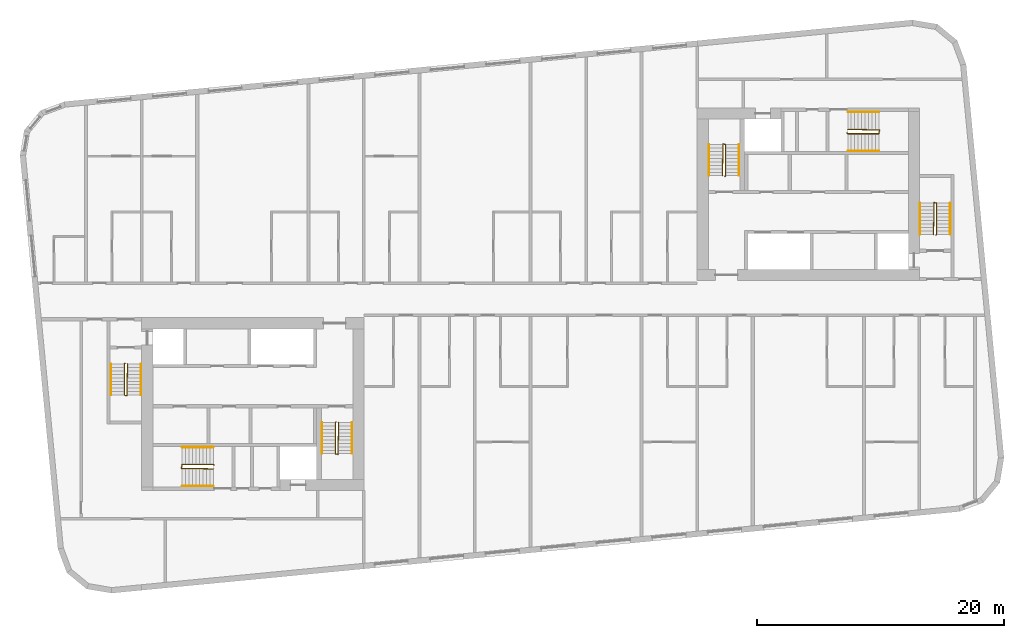
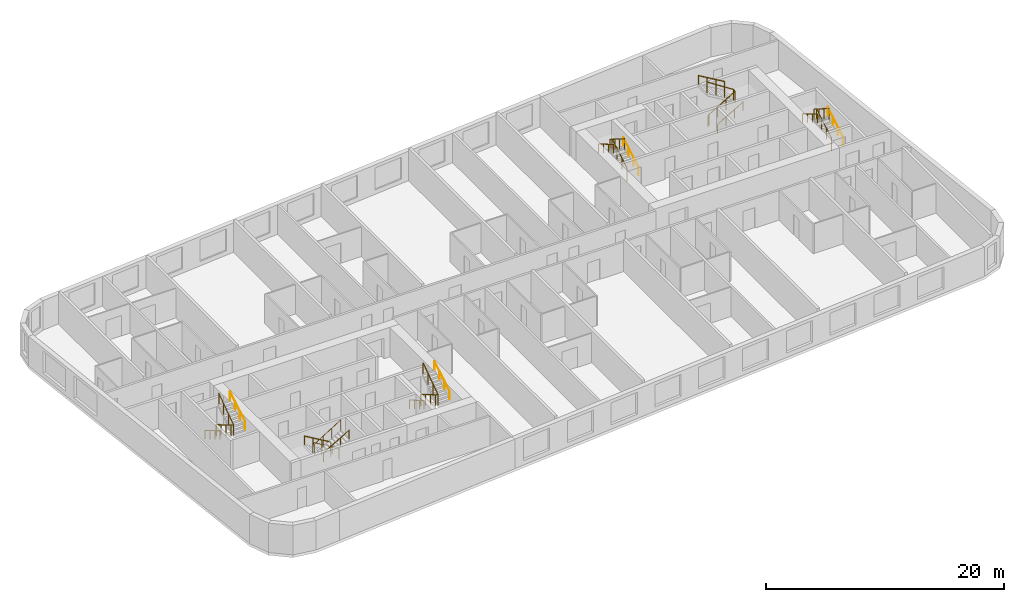
# One storey, part 12 of 12: 18 railings.
"""IFC4 building model written with IfcOpenShell, lengths in metres."""

from ifc_helpers import new_model, si_unit, direction, frame, origin, origin_2d, place, context, subcontext, project, spatial, circle, extrude, material, type_object, element, save


model = new_model("IFC4")

# Units and contexts
model_context = context("Model", 3, precision=1e-05, world=origin(), true_north=direction((0.0, 1.0)))
body_context = subcontext(model_context, "Body", "Model", "MODEL_VIEW")
ifc_project = project(units=[si_unit("LENGTHUNIT", "METRE"), si_unit("AREAUNIT", "SQUARE_METRE"), si_unit("VOLUMEUNIT", "CUBIC_METRE"), si_unit("PLANEANGLEUNIT", "RADIAN"), si_unit("MASSUNIT", "GRAM", prefix="KILO")], contexts=[model_context])

# Site, building, storey
site_placement = place(None, origin())
site = spatial("IfcSite", under=ifc_project, at=site_placement, CompositionType="ELEMENT")
building_placement = place(site_placement, origin())
building = spatial("IfcBuilding", under=site, at=building_placement, Name="Kajstack Hotel Tower", CompositionType="ELEMENT")
storey_placement = place(building_placement, frame((0.0, 0.0, 294.89990234375)))
storey = spatial("IfcBuildingStorey", under=building, at=storey_placement, Name="L74", CompositionType="ELEMENT", Elevation=294.89990234375)

# Railings
ifc_material = material(Name="Steel S355J2", Category="steel")
railing_type_1 = type_object("IfcRailingType", Name="Stair guard 1100", PredefinedType="GUARDRAIL", material=ifc_material)
railing_1_placement = place(storey_placement, frame((-32.85009765625, -5.199951171875, 0.0)))
element("IfcRailing", 1, at=railing_1_placement, inside=storey, type_object=railing_type_1, Name="L74 W1 stair guard 1", PredefinedType="GUARDRAIL", context=body_context, shape_type="SweptSolid", body=[
    extrude(circle(Radius=0.02392578125, at=origin_2d()), frame((0.0, 0.0, 1.076171875), z_axis=(-0.277450376394, -0.278810427259, 0.919394384522), x_axis=(0.708833529934, -0.705375805398, 0.0)), (0.0, 0.0, 1.0), 0.179443359375),
    extrude(circle(Radius=0.02392578125, at=origin_2d()), frame((-0.0498046875, -0.050048828125, 1.2412109375), z_axis=(0.0, -0.86152411907, 0.507716645641), x_axis=(1.0, 0.0, 0.0)), (0.0, 0.0, 1.0), 2.925048828125),
    extrude(circle(Radius=0.02392578125, at=origin_2d()), frame((-0.0498046875, -2.570068359375, 2.72607421875), z_axis=(0.970072785993, -0.242814311512, 0.0), x_axis=(0.242814311512, 0.970072785993, 0.0)), (0.0, 0.0, 1.0), 0.2060546875),
    extrude(circle(Radius=0.02392578125, at=origin_2d()), frame((0.150146484375, -2.6201171875, 2.72607421875), z_axis=(0.016385308676, 0.841405582595, 0.540155687962), x_axis=(-0.999810440751, 0.019470042781, 0.0)), (0.0, 0.0, 1.0), 3.054443359375),
    extrude(circle(Radius=0.02099609375, at=origin_2d()), origin(), (0.0, 0.0, 1.0), 1.052001953125),
    extrude(circle(Radius=0.02099609375, at=origin_2d()), frame((-0.0498046875, -0.050048828125, 0.1650390625)), (0.0, 0.0, 1.0), 1.052001953125),
    extrude(circle(Radius=0.02099609375, at=origin_2d()), frame((-0.0498046875, -0.89013671875, 0.66015625)), (0.0, 0.0, 1.0), 1.052001953125),
    extrude(circle(Radius=0.02099609375, at=origin_2d()), frame((-0.0498046875, -1.72998046875, 1.155029296875)), (0.0, 0.0, 1.0), 1.052001953125),
    extrude(circle(Radius=0.02099609375, at=origin_2d()), frame((-0.0498046875, -2.570068359375, 1.650146484375)), (0.0, 0.0, 1.0), 1.052001953125),
    extrude(circle(Radius=0.02099609375, at=origin_2d()), frame((0.150146484375, -2.6201171875, 1.650146484375)), (0.0, 0.0, 1.0), 1.052001953125),
    extrude(circle(Radius=0.02099609375, at=origin_2d()), frame((0.166748046875, -1.763427734375, 2.2001953125)), (0.0, 0.0, 1.0), 1.052001953125),
    extrude(circle(Radius=0.02099609375, at=origin_2d()), frame((0.18359375, -0.90673828125, 2.75)), (0.0, 0.0, 1.0), 1.052001953125),
    extrude(circle(Radius=0.02099609375, at=origin_2d()), frame((0.2001953125, -0.050048828125, 3.300048828125)), (0.0, 0.0, 1.0), 1.052001953125),
])
railing_2_placement = place(storey_placement, frame((-15.75, -9.949951171875, 0.0)))
element("IfcRailing", 2, at=railing_2_placement, inside=storey, type_object=railing_type_1, Name="L74 W2 stair guard 1", PredefinedType="GUARDRAIL", context=body_context, shape_type="SweptSolid", body=[
    extrude(circle(Radius=0.02392578125, at=origin_2d()), frame((0.0, 0.0, 1.076171875), z_axis=(-0.278705021027, -0.278705021027, 0.919046801044), x_axis=(0.707106781187, -0.707106781187, 0.0)), (0.0, 0.0, 1.0), 0.1796875),
    extrude(circle(Radius=0.02392578125, at=origin_2d()), frame((-0.050048828125, -0.050048828125, 1.2412109375), z_axis=(0.0, -0.86152411907, 0.507716645641), x_axis=(1.0, 0.0, 0.0)), (0.0, 0.0, 1.0), 2.925048828125),
    extrude(circle(Radius=0.02392578125, at=origin_2d()), frame((-0.050048828125, -2.570068359375, 2.72607421875), z_axis=(0.970072785993, -0.242814311512, 0.0), x_axis=(0.242814311512, 0.970072785993, 0.0)), (0.0, 0.0, 1.0), 0.2060546875),
    extrude(circle(Radius=0.02392578125, at=origin_2d()), frame((0.14990234375, -2.6201171875, 2.72607421875), z_axis=(0.016385308676, 0.841405582595, 0.540155687962), x_axis=(-0.999810440751, 0.019470042781, 0.0)), (0.0, 0.0, 1.0), 3.054443359375),
    extrude(circle(Radius=0.02099609375, at=origin_2d()), origin(), (0.0, 0.0, 1.0), 1.052001953125),
    extrude(circle(Radius=0.02099609375, at=origin_2d()), frame((-0.050048828125, -0.050048828125, 0.1650390625)), (0.0, 0.0, 1.0), 1.052001953125),
    extrude(circle(Radius=0.02099609375, at=origin_2d()), frame((-0.050048828125, -0.89013671875, 0.66015625)), (0.0, 0.0, 1.0), 1.052001953125),
    extrude(circle(Radius=0.02099609375, at=origin_2d()), frame((-0.050048828125, -1.72998046875, 1.155029296875)), (0.0, 0.0, 1.0), 1.052001953125),
    extrude(circle(Radius=0.02099609375, at=origin_2d()), frame((-0.050048828125, -2.570068359375, 1.650146484375)), (0.0, 0.0, 1.0), 1.052001953125),
    extrude(circle(Radius=0.02099609375, at=origin_2d()), frame((0.14990234375, -2.6201171875, 1.650146484375)), (0.0, 0.0, 1.0), 1.052001953125),
    extrude(circle(Radius=0.02099609375, at=origin_2d()), frame((0.16650390625, -1.763427734375, 2.2001953125)), (0.0, 0.0, 1.0), 1.052001953125),
    extrude(circle(Radius=0.02099609375, at=origin_2d()), frame((0.183349609375, -0.90673828125, 2.75)), (0.0, 0.0, 1.0), 1.052001953125),
    extrude(circle(Radius=0.02099609375, at=origin_2d()), frame((0.199951171875, -0.050048828125, 3.300048828125)), (0.0, 0.0, 1.0), 1.052001953125),
])
railing_3_placement = place(storey_placement, frame((-25.64990234375, -13.449951171875, 0.0)))
element("IfcRailing", 3, at=railing_3_placement, inside=storey, type_object=railing_type_1, Name="L74 W3 stair guard 1", PredefinedType="GUARDRAIL", context=body_context, shape_type="SweptSolid", body=[
    extrude(circle(Radius=0.02392578125, at=origin_2d()), frame((0.0, 0.0, 1.076171875), z_axis=(-0.278705021027, 0.278705021027, 0.919046801044), x_axis=(-0.707106781187, -0.707106781187, 0.0)), (0.0, 0.0, 1.0), 0.1796875),
    extrude(circle(Radius=0.02392578125, at=origin_2d()), frame((-0.050048828125, 0.050048828125, 1.2412109375), z_axis=(-0.86152411907, 0.0, 0.507716645641), x_axis=(0.0, -1.0, 0.0)), (0.0, 0.0, 1.0), 2.925048828125),
    extrude(circle(Radius=0.02392578125, at=origin_2d()), frame((-2.570068359375, 0.050048828125, 2.72607421875), z_axis=(-0.164529134168, -0.986372223864, 0.0), x_axis=(0.986372223864, -0.164529134168, 0.0)), (0.0, 0.0, 1.0), 0.30419921875),
    extrude(circle(Radius=0.02392578125, at=origin_2d()), frame((-2.6201171875, -0.25, 2.72607421875), z_axis=(0.841405582595, -0.016385308676, 0.540155687962), x_axis=(0.019470042781, 0.999810440751, 0.0)), (0.0, 0.0, 1.0), 3.054443359375),
    extrude(circle(Radius=0.02099609375, at=origin_2d()), origin(), (0.0, 0.0, 1.0), 1.052001953125),
    extrude(circle(Radius=0.02099609375, at=origin_2d()), frame((-0.050048828125, 0.050048828125, 0.1650390625)), (0.0, 0.0, 1.0), 1.052001953125),
    extrude(circle(Radius=0.02099609375, at=origin_2d()), frame((-0.89013671875, 0.050048828125, 0.66015625)), (0.0, 0.0, 1.0), 1.052001953125),
    extrude(circle(Radius=0.02099609375, at=origin_2d()), frame((-1.72998046875, 0.050048828125, 1.155029296875)), (0.0, 0.0, 1.0), 1.052001953125),
    extrude(circle(Radius=0.02099609375, at=origin_2d()), frame((-2.570068359375, 0.050048828125, 1.650146484375)), (0.0, 0.0, 1.0), 1.052001953125),
    extrude(circle(Radius=0.02099609375, at=origin_2d()), frame((-2.6201171875, -0.25, 1.650146484375)), (0.0, 0.0, 1.0), 1.052001953125),
    extrude(circle(Radius=0.02099609375, at=origin_2d()), frame((-1.763427734375, -0.2666015625, 2.2001953125)), (0.0, 0.0, 1.0), 1.052001953125),
    extrude(circle(Radius=0.02099609375, at=origin_2d()), frame((-0.90673828125, -0.283447265625, 2.75)), (0.0, 0.0, 1.0), 1.052001953125),
    extrude(circle(Radius=0.02099609375, at=origin_2d()), frame((-0.050048828125, -0.300048828125, 3.300048828125)), (0.0, 0.0, 1.0), 1.052001953125),
])
railing_4_placement = place(storey_placement, frame((32.85009765625, 5.199951171875, 0.0)))
element("IfcRailing", 4, at=railing_4_placement, inside=storey, type_object=railing_type_1, Name="L74 E1 stair guard 1", PredefinedType="GUARDRAIL", context=body_context, shape_type="SweptSolid", body=[
    extrude(circle(Radius=0.02392578125, at=origin_2d()), frame((0.0, 0.0, 1.076171875), z_axis=(0.277450376394, 0.278810427259, 0.919394384522), x_axis=(-0.708833529934, 0.705375805398, 0.0)), (0.0, 0.0, 1.0), 0.179443359375),
    extrude(circle(Radius=0.02392578125, at=origin_2d()), frame((0.0498046875, 0.050048828125, 1.2412109375), z_axis=(0.0, 0.86152411907, 0.507716645641), x_axis=(-1.0, 0.0, 0.0)), (0.0, 0.0, 1.0), 2.925048828125),
    extrude(circle(Radius=0.02392578125, at=origin_2d()), frame((0.0498046875, 2.570068359375, 2.72607421875), z_axis=(-0.970072785993, 0.242814311512, 0.0), x_axis=(-0.242814311512, -0.970072785993, 0.0)), (0.0, 0.0, 1.0), 0.2060546875),
    extrude(circle(Radius=0.02392578125, at=origin_2d()), frame((-0.150146484375, 2.6201171875, 2.72607421875), z_axis=(-0.016385308676, -0.841405582595, 0.540155687962), x_axis=(0.999810440751, -0.019470042781, 0.0)), (0.0, 0.0, 1.0), 3.054443359375),
    extrude(circle(Radius=0.02099609375, at=origin_2d()), origin(), (0.0, 0.0, 1.0), 1.052001953125),
    extrude(circle(Radius=0.02099609375, at=origin_2d()), frame((0.0498046875, 0.050048828125, 0.1650390625)), (0.0, 0.0, 1.0), 1.052001953125),
    extrude(circle(Radius=0.02099609375, at=origin_2d()), frame((0.0498046875, 0.89013671875, 0.66015625)), (0.0, 0.0, 1.0), 1.052001953125),
    extrude(circle(Radius=0.02099609375, at=origin_2d()), frame((0.0498046875, 1.72998046875, 1.155029296875)), (0.0, 0.0, 1.0), 1.052001953125),
    extrude(circle(Radius=0.02099609375, at=origin_2d()), frame((0.0498046875, 2.570068359375, 1.650146484375)), (0.0, 0.0, 1.0), 1.052001953125),
    extrude(circle(Radius=0.02099609375, at=origin_2d()), frame((-0.150146484375, 2.6201171875, 1.650146484375)), (0.0, 0.0, 1.0), 1.052001953125),
    extrude(circle(Radius=0.02099609375, at=origin_2d()), frame((-0.166748046875, 1.763427734375, 2.2001953125)), (0.0, 0.0, 1.0), 1.052001953125),
    extrude(circle(Radius=0.02099609375, at=origin_2d()), frame((-0.18359375, 0.90673828125, 2.75)), (0.0, 0.0, 1.0), 1.052001953125),
    extrude(circle(Radius=0.02099609375, at=origin_2d()), frame((-0.2001953125, 0.050048828125, 3.300048828125)), (0.0, 0.0, 1.0), 1.052001953125),
])
railing_5_placement = place(storey_placement, frame((15.75, 9.949951171875, 0.0)))
element("IfcRailing", 5, at=railing_5_placement, inside=storey, type_object=railing_type_1, Name="L74 E2 stair guard 1", PredefinedType="GUARDRAIL", context=body_context, shape_type="SweptSolid", body=[
    extrude(circle(Radius=0.02392578125, at=origin_2d()), frame((0.0, 0.0, 1.076171875), z_axis=(0.278705021027, 0.278705021027, 0.919046801044), x_axis=(-0.707106781187, 0.707106781187, 0.0)), (0.0, 0.0, 1.0), 0.1796875),
    extrude(circle(Radius=0.02392578125, at=origin_2d()), frame((0.050048828125, 0.050048828125, 1.2412109375), z_axis=(0.0, 0.86152411907, 0.507716645641), x_axis=(-1.0, 0.0, 0.0)), (0.0, 0.0, 1.0), 2.925048828125),
    extrude(circle(Radius=0.02392578125, at=origin_2d()), frame((0.050048828125, 2.570068359375, 2.72607421875), z_axis=(-0.970072785993, 0.242814311512, 0.0), x_axis=(-0.242814311512, -0.970072785993, 0.0)), (0.0, 0.0, 1.0), 0.2060546875),
    extrude(circle(Radius=0.02392578125, at=origin_2d()), frame((-0.14990234375, 2.6201171875, 2.72607421875), z_axis=(-0.016385308676, -0.841405582595, 0.540155687962), x_axis=(0.999810440751, -0.019470042781, 0.0)), (0.0, 0.0, 1.0), 3.054443359375),
    extrude(circle(Radius=0.02099609375, at=origin_2d()), origin(), (0.0, 0.0, 1.0), 1.052001953125),
    extrude(circle(Radius=0.02099609375, at=origin_2d()), frame((0.050048828125, 0.050048828125, 0.1650390625)), (0.0, 0.0, 1.0), 1.052001953125),
    extrude(circle(Radius=0.02099609375, at=origin_2d()), frame((0.050048828125, 0.89013671875, 0.66015625)), (0.0, 0.0, 1.0), 1.052001953125),
    extrude(circle(Radius=0.02099609375, at=origin_2d()), frame((0.050048828125, 1.72998046875, 1.155029296875)), (0.0, 0.0, 1.0), 1.052001953125),
    extrude(circle(Radius=0.02099609375, at=origin_2d()), frame((0.050048828125, 2.570068359375, 1.650146484375)), (0.0, 0.0, 1.0), 1.052001953125),
    extrude(circle(Radius=0.02099609375, at=origin_2d()), frame((-0.14990234375, 2.6201171875, 1.650146484375)), (0.0, 0.0, 1.0), 1.052001953125),
    extrude(circle(Radius=0.02099609375, at=origin_2d()), frame((-0.16650390625, 1.763427734375, 2.2001953125)), (0.0, 0.0, 1.0), 1.052001953125),
    extrude(circle(Radius=0.02099609375, at=origin_2d()), frame((-0.183349609375, 0.90673828125, 2.75)), (0.0, 0.0, 1.0), 1.052001953125),
    extrude(circle(Radius=0.02099609375, at=origin_2d()), frame((-0.199951171875, 0.050048828125, 3.300048828125)), (0.0, 0.0, 1.0), 1.052001953125),
])
railing_6_placement = place(storey_placement, frame((25.64990234375, 13.449951171875, 0.0)))
element("IfcRailing", 6, at=railing_6_placement, inside=storey, type_object=railing_type_1, Name="L74 E3 stair guard 1", PredefinedType="GUARDRAIL", context=body_context, shape_type="SweptSolid", body=[
    extrude(circle(Radius=0.02392578125, at=origin_2d()), frame((0.0, 0.0, 1.076171875), z_axis=(0.278705021027, -0.278705021027, 0.919046801044), x_axis=(0.707106781187, 0.707106781187, 0.0)), (0.0, 0.0, 1.0), 0.1796875),
    extrude(circle(Radius=0.02392578125, at=origin_2d()), frame((0.050048828125, -0.050048828125, 1.2412109375), z_axis=(0.86152411907, 0.0, 0.507716645641), x_axis=(0.0, 1.0, 0.0)), (0.0, 0.0, 1.0), 2.925048828125),
    extrude(circle(Radius=0.02392578125, at=origin_2d()), frame((2.570068359375, -0.050048828125, 2.72607421875), z_axis=(0.164529134168, 0.986372223864, 0.0), x_axis=(-0.986372223864, 0.164529134168, 0.0)), (0.0, 0.0, 1.0), 0.30419921875),
    extrude(circle(Radius=0.02392578125, at=origin_2d()), frame((2.6201171875, 0.25, 2.72607421875), z_axis=(-0.841405582595, 0.016385308676, 0.540155687962), x_axis=(-0.019470042781, -0.999810440751, 0.0)), (0.0, 0.0, 1.0), 3.054443359375),
    extrude(circle(Radius=0.02099609375, at=origin_2d()), origin(), (0.0, 0.0, 1.0), 1.052001953125),
    extrude(circle(Radius=0.02099609375, at=origin_2d()), frame((0.050048828125, -0.050048828125, 0.1650390625)), (0.0, 0.0, 1.0), 1.052001953125),
    extrude(circle(Radius=0.02099609375, at=origin_2d()), frame((0.89013671875, -0.050048828125, 0.66015625)), (0.0, 0.0, 1.0), 1.052001953125),
    extrude(circle(Radius=0.02099609375, at=origin_2d()), frame((1.72998046875, -0.050048828125, 1.155029296875)), (0.0, 0.0, 1.0), 1.052001953125),
    extrude(circle(Radius=0.02099609375, at=origin_2d()), frame((2.570068359375, -0.050048828125, 1.650146484375)), (0.0, 0.0, 1.0), 1.052001953125),
    extrude(circle(Radius=0.02099609375, at=origin_2d()), frame((2.6201171875, 0.25, 1.650146484375)), (0.0, 0.0, 1.0), 1.052001953125),
    extrude(circle(Radius=0.02099609375, at=origin_2d()), frame((1.763427734375, 0.2666015625, 2.2001953125)), (0.0, 0.0, 1.0), 1.052001953125),
    extrude(circle(Radius=0.02099609375, at=origin_2d()), frame((0.90673828125, 0.283447265625, 2.75)), (0.0, 0.0, 1.0), 1.052001953125),
    extrude(circle(Radius=0.02099609375, at=origin_2d()), frame((0.050048828125, 0.300048828125, 3.300048828125)), (0.0, 0.0, 1.0), 1.052001953125),
])
railing_type_2 = type_object("IfcRailingType", Name="Stair handrail 900", PredefinedType="HANDRAIL", material=ifc_material)
railing_7_placement = place(storey_placement, frame((-34.0, -5.25, 0.1650390625)))
element("IfcRailing", 7, at=railing_7_placement, inside=storey, type_object=railing_type_2, Name="L74 W1 stair handrail 1", PredefinedType="HANDRAIL", context=body_context, shape_type="SweptSolid", body=[
    extrude(circle(Radius=0.02392578125, at=origin_2d()), frame((0.0, 0.0, 0.8759765625), z_axis=(0.0, -0.86152411907, 0.507716645641), x_axis=(1.0, 0.0, 0.0)), (0.0, 0.0, 1.0), 2.925048828125),
    extrude(circle(Radius=0.02099609375, at=origin_2d()), origin(), (0.0, 0.0, 1.0), 0.851806640625),
    extrude(circle(Radius=0.02099609375, at=origin_2d()), frame((0.0, -0.840087890625, 0.4951171875)), (0.0, 0.0, 1.0), 0.851806640625),
    extrude(circle(Radius=0.02099609375, at=origin_2d()), frame((0.0, -1.679931640625, 0.989990234375)), (0.0, 0.0, 1.0), 0.851806640625),
    extrude(circle(Radius=0.02099609375, at=origin_2d()), frame((0.0, -2.52001953125, 1.485107421875)), (0.0, 0.0, 1.0), 0.851806640625),
])
railing_8_placement = place(storey_placement, frame((-31.550048828125, -7.77001953125, 1.815185546875)))
element("IfcRailing", 8, at=railing_8_placement, inside=storey, type_object=railing_type_2, Name="L74 W1 stair handrail 2", PredefinedType="HANDRAIL", context=body_context, shape_type="SweptSolid", body=[
    extrude(circle(Radius=0.02392578125, at=origin_2d()), frame((0.0, 0.0, 0.8759765625), z_axis=(0.0, 0.861560626758, 0.507654692109), x_axis=(-1.0, 0.0, 0.0)), (0.0, 0.0, 1.0), 2.925048828125),
    extrude(circle(Radius=0.02099609375, at=origin_2d()), origin(), (0.0, 0.0, 1.0), 0.851806640625),
    extrude(circle(Radius=0.02099609375, at=origin_2d()), frame((0.0, 0.840087890625, 0.494873046875)), (0.0, 0.0, 1.0), 0.851806640625),
    extrude(circle(Radius=0.02099609375, at=origin_2d()), frame((0.0, 1.679931640625, 0.989990234375)), (0.0, 0.0, 1.0), 0.851806640625),
    extrude(circle(Radius=0.02099609375, at=origin_2d()), frame((0.0, 2.52001953125, 1.48486328125)), (0.0, 0.0, 1.0), 0.851806640625),
])
railing_9_placement = place(storey_placement, frame((-16.89990234375, -10.0, 0.1650390625)))
element("IfcRailing", 9, at=railing_9_placement, inside=storey, type_object=railing_type_2, Name="L74 W2 stair handrail 1", PredefinedType="HANDRAIL", context=body_context, shape_type="SweptSolid", body=[
    extrude(circle(Radius=0.02392578125, at=origin_2d()), frame((0.0, 0.0, 0.8759765625), z_axis=(0.0, -0.86152411907, 0.507716645641), x_axis=(1.0, 0.0, 0.0)), (0.0, 0.0, 1.0), 2.925048828125),
    extrude(circle(Radius=0.02099609375, at=origin_2d()), origin(), (0.0, 0.0, 1.0), 0.851806640625),
    extrude(circle(Radius=0.02099609375, at=origin_2d()), frame((0.0, -0.840087890625, 0.4951171875)), (0.0, 0.0, 1.0), 0.851806640625),
    extrude(circle(Radius=0.02099609375, at=origin_2d()), frame((0.0, -1.679931640625, 0.989990234375)), (0.0, 0.0, 1.0), 0.851806640625),
    extrude(circle(Radius=0.02099609375, at=origin_2d()), frame((0.0, -2.52001953125, 1.485107421875)), (0.0, 0.0, 1.0), 0.851806640625),
])
railing_10_placement = place(storey_placement, frame((-14.449951171875, -12.52001953125, 1.815185546875)))
element("IfcRailing", 10, at=railing_10_placement, inside=storey, type_object=railing_type_2, Name="L74 W2 stair handrail 2", PredefinedType="HANDRAIL", context=body_context, shape_type="SweptSolid", body=[
    extrude(circle(Radius=0.02392578125, at=origin_2d()), frame((0.0, 0.0, 0.8759765625), z_axis=(0.0, 0.861560626758, 0.507654692109), x_axis=(-1.0, 0.0, 0.0)), (0.0, 0.0, 1.0), 2.925048828125),
    extrude(circle(Radius=0.02099609375, at=origin_2d()), origin(), (0.0, 0.0, 1.0), 0.851806640625),
    extrude(circle(Radius=0.02099609375, at=origin_2d()), frame((0.0, 0.840087890625, 0.494873046875)), (0.0, 0.0, 1.0), 0.851806640625),
    extrude(circle(Radius=0.02099609375, at=origin_2d()), frame((0.0, 1.679931640625, 0.989990234375)), (0.0, 0.0, 1.0), 0.851806640625),
    extrude(circle(Radius=0.02099609375, at=origin_2d()), frame((0.0, 2.52001953125, 1.48486328125)), (0.0, 0.0, 1.0), 0.851806640625),
])
railing_11_placement = place(storey_placement, frame((-25.699951171875, -12.0, 0.1650390625)))
element("IfcRailing", 11, at=railing_11_placement, inside=storey, type_object=railing_type_2, Name="L74 W3 stair handrail 1", PredefinedType="HANDRAIL", context=body_context, shape_type="SweptSolid", body=[
    extrude(circle(Radius=0.02392578125, at=origin_2d()), frame((0.0, 0.0, 0.8759765625), z_axis=(-0.86152411907, 0.0, 0.507716645641), x_axis=(0.0, -1.0, 0.0)), (0.0, 0.0, 1.0), 2.925048828125),
    extrude(circle(Radius=0.02099609375, at=origin_2d()), origin(), (0.0, 0.0, 1.0), 0.851806640625),
    extrude(circle(Radius=0.02099609375, at=origin_2d()), frame((-0.840087890625, 0.0, 0.4951171875)), (0.0, 0.0, 1.0), 0.851806640625),
    extrude(circle(Radius=0.02099609375, at=origin_2d()), frame((-1.679931640625, 0.0, 0.989990234375)), (0.0, 0.0, 1.0), 0.851806640625),
    extrude(circle(Radius=0.02099609375, at=origin_2d()), frame((-2.52001953125, 0.0, 1.485107421875)), (0.0, 0.0, 1.0), 0.851806640625),
])
railing_12_placement = place(storey_placement, frame((-28.219970703125, -15.14990234375, 1.815185546875)))
element("IfcRailing", 12, at=railing_12_placement, inside=storey, type_object=railing_type_2, Name="L74 W3 stair handrail 2", PredefinedType="HANDRAIL", context=body_context, shape_type="SweptSolid", body=[
    extrude(circle(Radius=0.02392578125, at=origin_2d()), frame((0.0, 0.0, 0.8759765625), z_axis=(0.861560626758, 0.0, 0.507654692109), x_axis=(0.0, 1.0, 0.0)), (0.0, 0.0, 1.0), 2.925048828125),
    extrude(circle(Radius=0.02099609375, at=origin_2d()), origin(), (0.0, 0.0, 1.0), 0.851806640625),
    extrude(circle(Radius=0.02099609375, at=origin_2d()), frame((0.840087890625, 0.0, 0.494873046875)), (0.0, 0.0, 1.0), 0.851806640625),
    extrude(circle(Radius=0.02099609375, at=origin_2d()), frame((1.679931640625, 0.0, 0.989990234375)), (0.0, 0.0, 1.0), 0.851806640625),
    extrude(circle(Radius=0.02099609375, at=origin_2d()), frame((2.52001953125, 0.0, 1.48486328125)), (0.0, 0.0, 1.0), 0.851806640625),
])
railing_13_placement = place(storey_placement, frame((34.0, 5.25, 0.1650390625)))
element("IfcRailing", 13, at=railing_13_placement, inside=storey, type_object=railing_type_2, Name="L74 E1 stair handrail 1", PredefinedType="HANDRAIL", context=body_context, shape_type="SweptSolid", body=[
    extrude(circle(Radius=0.02392578125, at=origin_2d()), frame((0.0, 0.0, 0.8759765625), z_axis=(0.0, 0.86152411907, 0.507716645641), x_axis=(-1.0, 0.0, 0.0)), (0.0, 0.0, 1.0), 2.925048828125),
    extrude(circle(Radius=0.02099609375, at=origin_2d()), origin(), (0.0, 0.0, 1.0), 0.851806640625),
    extrude(circle(Radius=0.02099609375, at=origin_2d()), frame((0.0, 0.840087890625, 0.4951171875)), (0.0, 0.0, 1.0), 0.851806640625),
    extrude(circle(Radius=0.02099609375, at=origin_2d()), frame((0.0, 1.679931640625, 0.989990234375)), (0.0, 0.0, 1.0), 0.851806640625),
    extrude(circle(Radius=0.02099609375, at=origin_2d()), frame((0.0, 2.52001953125, 1.485107421875)), (0.0, 0.0, 1.0), 0.851806640625),
])
railing_14_placement = place(storey_placement, frame((31.550048828125, 7.77001953125, 1.815185546875)))
element("IfcRailing", 14, at=railing_14_placement, inside=storey, type_object=railing_type_2, Name="L74 E1 stair handrail 2", PredefinedType="HANDRAIL", context=body_context, shape_type="SweptSolid", body=[
    extrude(circle(Radius=0.02392578125, at=origin_2d()), frame((0.0, 0.0, 0.8759765625), z_axis=(0.0, -0.861560626758, 0.507654692109), x_axis=(1.0, 0.0, 0.0)), (0.0, 0.0, 1.0), 2.925048828125),
    extrude(circle(Radius=0.02099609375, at=origin_2d()), origin(), (0.0, 0.0, 1.0), 0.851806640625),
    extrude(circle(Radius=0.02099609375, at=origin_2d()), frame((0.0, -0.840087890625, 0.494873046875)), (0.0, 0.0, 1.0), 0.851806640625),
    extrude(circle(Radius=0.02099609375, at=origin_2d()), frame((0.0, -1.679931640625, 0.989990234375)), (0.0, 0.0, 1.0), 0.851806640625),
    extrude(circle(Radius=0.02099609375, at=origin_2d()), frame((0.0, -2.52001953125, 1.48486328125)), (0.0, 0.0, 1.0), 0.851806640625),
])
railing_15_placement = place(storey_placement, frame((16.89990234375, 10.0, 0.1650390625)))
element("IfcRailing", 15, at=railing_15_placement, inside=storey, type_object=railing_type_2, Name="L74 E2 stair handrail 1", PredefinedType="HANDRAIL", context=body_context, shape_type="SweptSolid", body=[
    extrude(circle(Radius=0.02392578125, at=origin_2d()), frame((0.0, 0.0, 0.8759765625), z_axis=(0.0, 0.86152411907, 0.507716645641), x_axis=(-1.0, 0.0, 0.0)), (0.0, 0.0, 1.0), 2.925048828125),
    extrude(circle(Radius=0.02099609375, at=origin_2d()), origin(), (0.0, 0.0, 1.0), 0.851806640625),
    extrude(circle(Radius=0.02099609375, at=origin_2d()), frame((0.0, 0.840087890625, 0.4951171875)), (0.0, 0.0, 1.0), 0.851806640625),
    extrude(circle(Radius=0.02099609375, at=origin_2d()), frame((0.0, 1.679931640625, 0.989990234375)), (0.0, 0.0, 1.0), 0.851806640625),
    extrude(circle(Radius=0.02099609375, at=origin_2d()), frame((0.0, 2.52001953125, 1.485107421875)), (0.0, 0.0, 1.0), 0.851806640625),
])
railing_16_placement = place(storey_placement, frame((14.449951171875, 12.52001953125, 1.815185546875)))
element("IfcRailing", 16, at=railing_16_placement, inside=storey, type_object=railing_type_2, Name="L74 E2 stair handrail 2", PredefinedType="HANDRAIL", context=body_context, shape_type="SweptSolid", body=[
    extrude(circle(Radius=0.02392578125, at=origin_2d()), frame((0.0, 0.0, 0.8759765625), z_axis=(0.0, -0.861560626758, 0.507654692109), x_axis=(1.0, 0.0, 0.0)), (0.0, 0.0, 1.0), 2.925048828125),
    extrude(circle(Radius=0.02099609375, at=origin_2d()), origin(), (0.0, 0.0, 1.0), 0.851806640625),
    extrude(circle(Radius=0.02099609375, at=origin_2d()), frame((0.0, -0.840087890625, 0.494873046875)), (0.0, 0.0, 1.0), 0.851806640625),
    extrude(circle(Radius=0.02099609375, at=origin_2d()), frame((0.0, -1.679931640625, 0.989990234375)), (0.0, 0.0, 1.0), 0.851806640625),
    extrude(circle(Radius=0.02099609375, at=origin_2d()), frame((0.0, -2.52001953125, 1.48486328125)), (0.0, 0.0, 1.0), 0.851806640625),
])
railing_17_placement = place(storey_placement, frame((25.699951171875, 12.0, 0.1650390625)))
element("IfcRailing", 17, at=railing_17_placement, inside=storey, type_object=railing_type_2, Name="L74 E3 stair handrail 1", PredefinedType="HANDRAIL", context=body_context, shape_type="SweptSolid", body=[
    extrude(circle(Radius=0.02392578125, at=origin_2d()), frame((0.0, 0.0, 0.8759765625), z_axis=(0.86152411907, 0.0, 0.507716645641), x_axis=(0.0, 1.0, 0.0)), (0.0, 0.0, 1.0), 2.925048828125),
    extrude(circle(Radius=0.02099609375, at=origin_2d()), origin(), (0.0, 0.0, 1.0), 0.851806640625),
    extrude(circle(Radius=0.02099609375, at=origin_2d()), frame((0.840087890625, 0.0, 0.4951171875)), (0.0, 0.0, 1.0), 0.851806640625),
    extrude(circle(Radius=0.02099609375, at=origin_2d()), frame((1.679931640625, 0.0, 0.989990234375)), (0.0, 0.0, 1.0), 0.851806640625),
    extrude(circle(Radius=0.02099609375, at=origin_2d()), frame((2.52001953125, 0.0, 1.485107421875)), (0.0, 0.0, 1.0), 0.851806640625),
])
railing_18_placement = place(storey_placement, frame((28.219970703125, 15.14990234375, 1.815185546875)))
element("IfcRailing", 18, at=railing_18_placement, inside=storey, type_object=railing_type_2, Name="L74 E3 stair handrail 2", PredefinedType="HANDRAIL", context=body_context, shape_type="SweptSolid", body=[
    extrude(circle(Radius=0.02392578125, at=origin_2d()), frame((0.0, 0.0, 0.8759765625), z_axis=(-0.861560626758, 0.0, 0.507654692109), x_axis=(0.0, -1.0, 0.0)), (0.0, 0.0, 1.0), 2.925048828125),
    extrude(circle(Radius=0.02099609375, at=origin_2d()), origin(), (0.0, 0.0, 1.0), 0.851806640625),
    extrude(circle(Radius=0.02099609375, at=origin_2d()), frame((-0.840087890625, 0.0, 0.494873046875)), (0.0, 0.0, 1.0), 0.851806640625),
    extrude(circle(Radius=0.02099609375, at=origin_2d()), frame((-1.679931640625, 0.0, 0.989990234375)), (0.0, 0.0, 1.0), 0.851806640625),
    extrude(circle(Radius=0.02099609375, at=origin_2d()), frame((-2.52001953125, 0.0, 1.48486328125)), (0.0, 0.0, 1.0), 0.851806640625),
])

save(model, "model.ifc")
